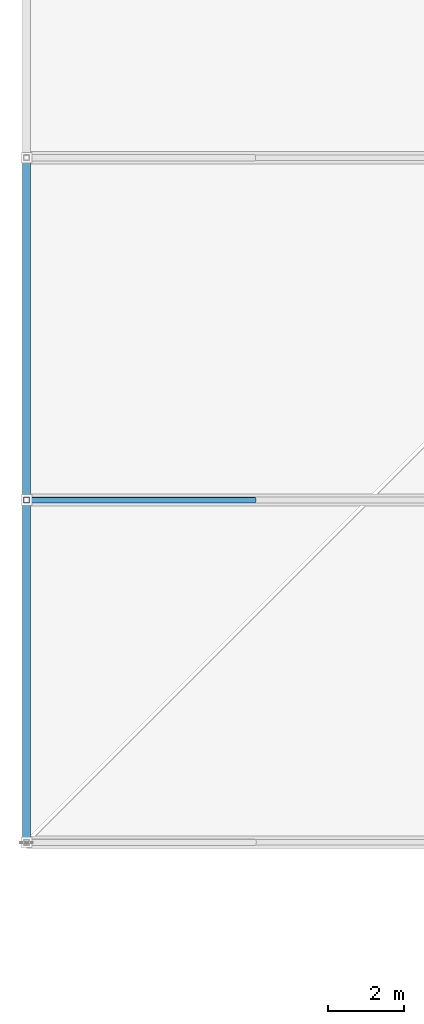
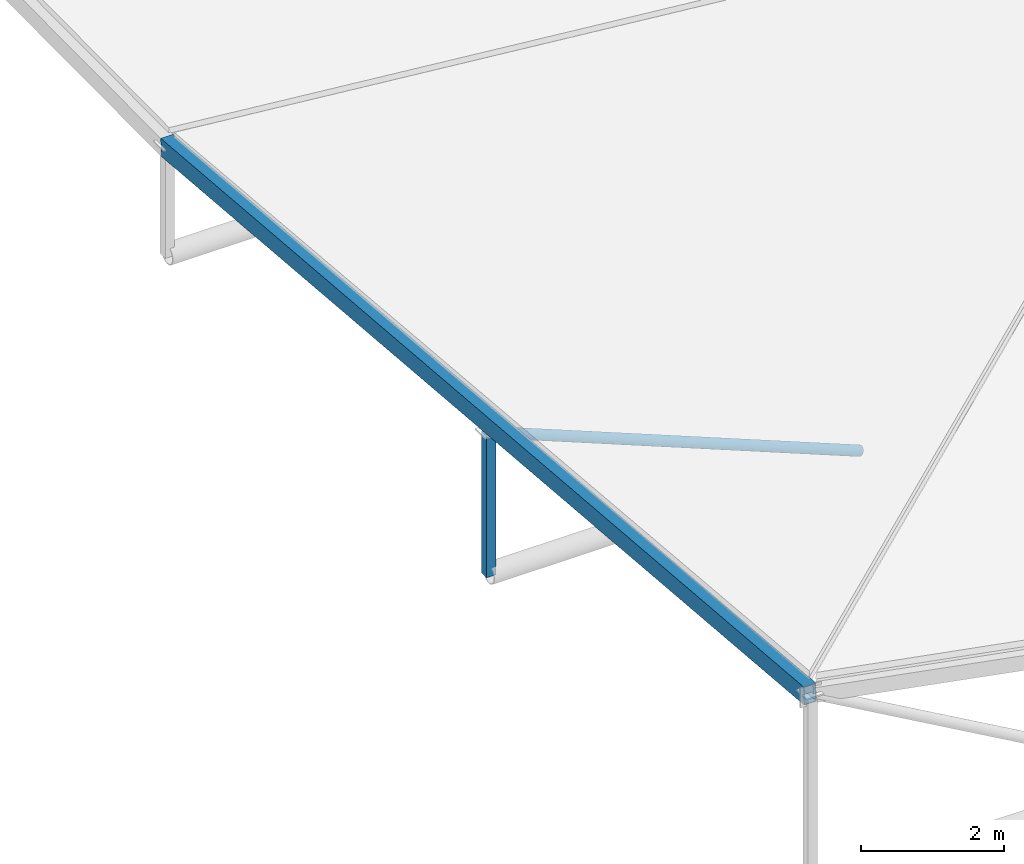
# One storey, part 5 of 44: 3 members.
"""IFC4 building model written with IfcOpenShell, lengths in metres."""

from ifc_helpers import new_model, si_unit, direction, frame, origin, origin_2d, place, context, subcontext, project, spatial, hollow_rectangle, hollow_circle, extrude, material, material_profile, profile_set, type_object, element, save


model = new_model("IFC4")

# Units and contexts
model_context = context("Model", 3, precision=1e-05, world=origin(), true_north=direction((0.0, 1.0)))
body_context = subcontext(model_context, "Body", "Model", "MODEL_VIEW")
ifc_project = project(units=[si_unit("LENGTHUNIT", "METRE"), si_unit("AREAUNIT", "SQUARE_METRE"), si_unit("VOLUMEUNIT", "CUBIC_METRE"), si_unit("PLANEANGLEUNIT", "RADIAN"), si_unit("MASSUNIT", "GRAM", prefix="KILO")], contexts=[model_context])

# Site, building, storey
site_placement = place(None, origin())
site = spatial("IfcSite", under=ifc_project, at=site_placement, CompositionType="ELEMENT")
building_placement = place(site_placement, origin())
building = spatial("IfcBuilding", under=site, at=building_placement, Name="Deido Ridge Mobility Hub", CompositionType="ELEMENT")
storey_placement = place(building_placement, frame((0.0, 0.0, 25.199951171875)))
storey = spatial("IfcBuildingStorey", under=building, at=storey_placement, Name="L06", CompositionType="ELEMENT", Elevation=25.199951171875)

# Members
ifc_material = material(Name="Steel S355J2H EN 10210-1", Category="steel")
ifc_material_profile_1 = material_profile(ifc_material, hollow_rectangle(XDim=0.199951171875, YDim=0.300048828125, WallThickness=0.012451171875, at=origin_2d()), Name="RHS 300x200x12.5")
ifc_profile_set_1 = profile_set([ifc_material_profile_1], Name="Steel S355J2H EN 10210-1")
member_type_1 = type_object("IfcMemberType", Name="MEM-CHD-RHS300", PredefinedType="CHORD", material=ifc_profile_set_1)
member_1_placement = place(storey_placement, frame((63.0, 45.0, 3.400146484375), z_axis=(0.0, 0.996359910074, -0.085246287879), x_axis=(-1.0, 0.0, 0.0)))
element("IfcMember", 1, at=member_1_placement, inside=storey, type_object=member_type_1, Name="Origami longitudinal ridge chord CH1", PredefinedType="CHORD", context=body_context, shape_type="SweptSolid", body=[
    extrude(hollow_rectangle(XDim=0.199951171875, YDim=0.300048828125, WallThickness=0.012451171875, at=origin_2d()), origin(), (0.0, 0.0, 1.0), 18.065673828125),
])
ifc_material_profile_2 = material_profile(ifc_material, hollow_rectangle(XDim=0.14990234375, YDim=0.14990234375, WallThickness=0.008056640625, at=origin_2d()), Name="SHS 150x150x8")
ifc_profile_set_2 = profile_set([ifc_material_profile_2], Name="Steel S355J2H EN 10210-1")
member_type_2 = type_object("IfcMemberType", Name="MEM-PST-SHS150", PredefinedType="POST", material=ifc_profile_set_2)
member_2_placement = place(storey_placement, frame((63.0, 54.0, 0.0), z_axis=(0.0, 0.0, 1.0), x_axis=(1.0, 0.0, 0.0)))
element("IfcMember", 2, at=member_2_placement, inside=storey, type_object=member_type_2, Name="Origami eaves post PS1", PredefinedType="POST", context=body_context, shape_type="SweptSolid", body=[
    extrude(hollow_rectangle(XDim=0.14990234375, YDim=0.14990234375, WallThickness=0.008056640625, at=origin_2d()), origin(), (0.0, 0.0, 1.0), 2.420166015625),
])
ifc_material_profile_3 = material_profile(ifc_material, hollow_circle(Radius=0.084228515625, WallThickness=0.008056640625, at=origin_2d()), Name="CHS 168.3x8")
ifc_profile_set_3 = profile_set([ifc_material_profile_3], Name="Steel S355J2H EN 10210-1")
member_type_3 = type_object("IfcMemberType", Name="MEM-STR-CHS168", PredefinedType="STRUT", material=ifc_profile_set_3)
member_3_placement = place(storey_placement, frame((69.0, 54.0, 0.0), z_axis=(-0.927397979526, 0.0, 0.374076178835), x_axis=(0.0, -1.0, 0.0)))
element("IfcMember", 3, at=member_3_placement, inside=storey, type_object=member_type_3, Name="Origami diagonal web SR1", PredefinedType="STRUT", context=body_context, shape_type="SweptSolid", body=[
    extrude(hollow_circle(Radius=0.084228515625, WallThickness=0.008056640625, at=origin_2d()), origin(), (0.0, 0.0, 1.0), 6.4697265625),
])

save(model, "model.ifc")
